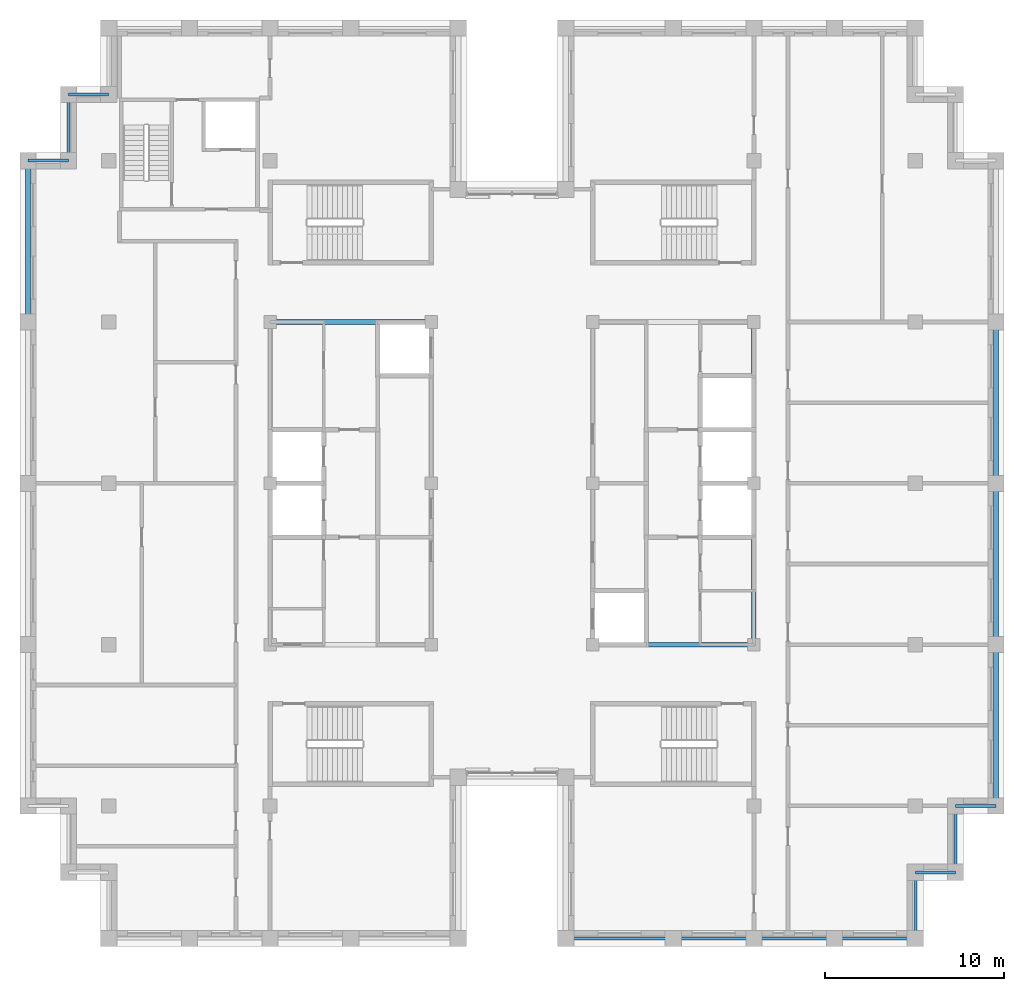
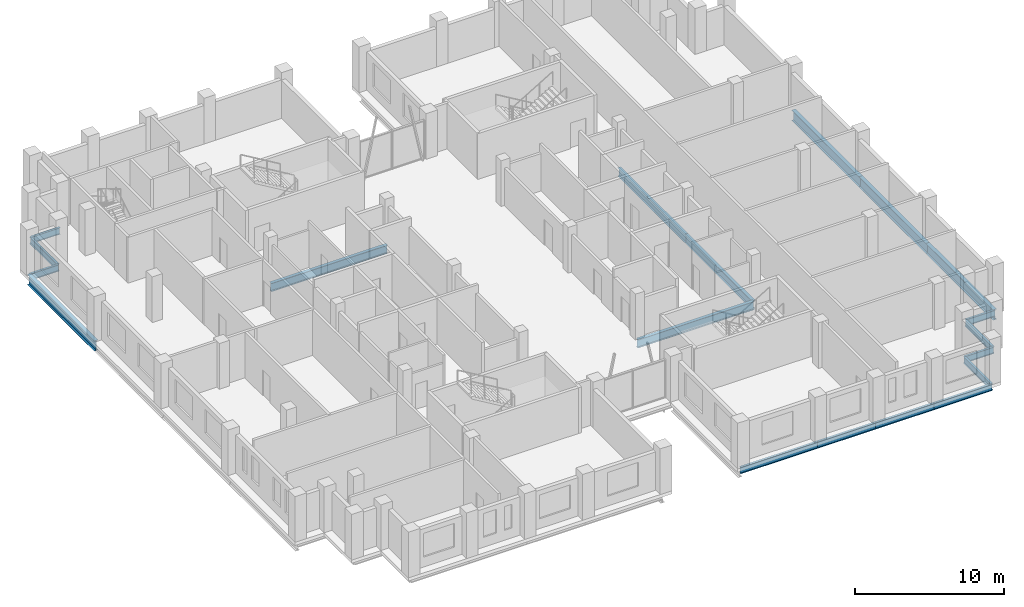
# One storey, part 3 of 13: 19 beams.
"""IFC4 building model written with IfcOpenShell, lengths in metres."""

from ifc_helpers import new_model, si_unit, direction, frame, origin, origin_2d, place, context, subcontext, project, spatial, i_section, extrude, material, material_profile, profile_set, type_object, element, save


model = new_model("IFC4")

# Units and contexts
model_context = context("Model", 3, precision=1e-05, world=origin(), true_north=direction((0.0, 1.0)))
body_context = subcontext(model_context, "Body", "Model", "MODEL_VIEW")
ifc_project = project(units=[si_unit("LENGTHUNIT", "METRE"), si_unit("AREAUNIT", "SQUARE_METRE"), si_unit("VOLUMEUNIT", "CUBIC_METRE"), si_unit("PLANEANGLEUNIT", "RADIAN"), si_unit("MASSUNIT", "GRAM", prefix="KILO")], contexts=[model_context])

# Site, building, storey
site_placement = place(None, origin())
site = spatial("IfcSite", under=ifc_project, at=site_placement, CompositionType="ELEMENT")
building_placement = place(site_placement, origin())
building = spatial("IfcBuilding", under=site, at=building_placement, Name="Corbelhall Arena Tower", CompositionType="ELEMENT")
storey_placement = place(building_placement, frame((0.0, 0.0, 342.0)))
storey = spatial("IfcBuildingStorey", under=building, at=storey_placement, Name="L75", CompositionType="ELEMENT", Elevation=342.0)

# Beams
ifc_material = material(Name="Steel ASTM A992 Gr50", Category="steel")
ifc_material_profile_1 = material_profile(ifc_material, i_section(OverallWidth=0.25390625, OverallDepth=0.67822265625, WebThickness=0.01171875, FlangeThickness=0.016357421875, at=origin_2d()))
ifc_profile_set_1 = profile_set([ifc_material_profile_1], Name="Steel ASTM A992 Gr50")
beam_type_1 = type_object("IfcBeamType", Name="ST-BEAM-W27x84", PredefinedType="BEAM", material=ifc_profile_set_1)
for number, where, z_axis, x_axis, name in (
    (1, (-13.5, 9.0, -0.59912109375), (1.0, 0.0, 0.0), (0.0, 1.0, 0.0), "Beam CEW 6"),
    (2, (13.5, -9.0, -0.59912109375), (0.0, 1.0, 0.0), (-1.0, 0.0, 0.0), "Beam CEE 9"),
    (3, (13.5, 0.0, -0.59912109375), (0.0, 1.0, 0.0), (-1.0, 0.0, 0.0), "Beam CEE 10"),
    (4, (4.5, -9.0, -0.59912109375), (1.0, 0.0, 0.0), (0.0, 1.0, 0.0), "Beam CEE 11"),
):
    element("IfcBeam", number, at=place(storey_placement, frame(where, z_axis=z_axis, x_axis=x_axis)), inside=storey, type_object=beam_type_1, Name=name, PredefinedType="BEAM", context=body_context, shape_type="SweptSolid", body=[
        extrude(i_section(OverallWidth=0.25390625, OverallDepth=0.67822265625, WebThickness=0.01171875, FlangeThickness=0.016357421875, at=origin_2d()), origin(), (0.0, 0.0, 1.0), 9.0),
    ])
ifc_material_profile_2 = material_profile(ifc_material, i_section(OverallWidth=0.16650390625, OverallDepth=0.535888671875, WebThickness=0.01025390625, FlangeThickness=0.0166015625, at=origin_2d()))
ifc_profile_set_2 = profile_set([ifc_material_profile_2], Name="Steel ASTM A992 Gr50")
beam_type_2 = type_object("IfcBeamType", Name="ST-SPANDREL-W21x57", PredefinedType="SPANDREL", material=ifc_profile_set_2)
beam_1_placement = place(storey_placement, frame((27.0, -18.0, -0.528076171875), z_axis=(-1.0, 0.0, 0.0), x_axis=(0.0, -1.0, 0.0)))
element("IfcBeam", 5, at=beam_1_placement, inside=storey, type_object=beam_type_2, Name="Beam SP 5", PredefinedType="SPANDREL", context=body_context, shape_type="SweptSolid", body=[
    extrude(i_section(OverallWidth=0.16650390625, OverallDepth=0.535888671875, WebThickness=0.01025390625, FlangeThickness=0.0166015625, at=origin_2d()), origin(), (0.0, 0.0, 1.0), 2.25),
])
beam_2_placement = place(storey_placement, frame((9.0, -25.39990234375, -0.528076171875), z_axis=(-1.0, 0.0, 0.0), x_axis=(0.0, -1.0, 0.0)))
element("IfcBeam", 6, at=beam_2_placement, inside=storey, type_object=beam_type_2, Name="Beam SP 17", PredefinedType="SPANDREL", context=body_context, shape_type="SweptSolid", body=[
    extrude(i_section(OverallWidth=0.16650390625, OverallDepth=0.535888671875, WebThickness=0.01025390625, FlangeThickness=0.0166015625, at=origin_2d()), origin(), (0.0, 0.0, 1.0), 6.0),
])
for number, where, z_axis, x_axis, name in (
    (7, (13.5, -25.39990234375, -0.528076171875), (-1.0, 0.0, 0.0), (0.0, -1.0, 0.0), "Beam SP 18"),
    (8, (18.0, -25.39990234375, -0.528076171875), (-1.0, 0.0, 0.0), (0.0, -1.0, 0.0), "Beam SP 19"),
    (9, (22.5, -25.39990234375, -0.528076171875), (-1.0, 0.0, 0.0), (0.0, -1.0, 0.0), "Beam SP 20"),
):
    element("IfcBeam", number, at=place(storey_placement, frame(where, z_axis=z_axis, x_axis=x_axis)), inside=storey, type_object=beam_type_2, Name=name, PredefinedType="SPANDREL", context=body_context, shape_type="SweptSolid", body=[
        extrude(i_section(OverallWidth=0.16650390625, OverallDepth=0.535888671875, WebThickness=0.01025390625, FlangeThickness=0.0166015625, at=origin_2d()), origin(), (0.0, 0.0, 1.0), 4.5),
    ])
for number, where, z_axis, x_axis, name in (
    (10, (-27.0, 18.0, -0.528076171875), (1.0, 0.0, 0.0), (0.0, 1.0, 0.0), "Beam SP 28"),
    (11, (-24.75, 21.699951171875, -0.528076171875), (1.0, 0.0, 0.0), (0.0, 1.0, 0.0), "Beam SP 39"),
):
    element("IfcBeam", number, at=place(storey_placement, frame(where, z_axis=z_axis, x_axis=x_axis)), inside=storey, type_object=beam_type_2, Name=name, PredefinedType="SPANDREL", context=body_context, shape_type="SweptSolid", body=[
        extrude(i_section(OverallWidth=0.16650390625, OverallDepth=0.535888671875, WebThickness=0.01025390625, FlangeThickness=0.0166015625, at=origin_2d()), origin(), (0.0, 0.0, 1.0), 2.25),
    ])
for number, where, z_axis, x_axis, name in (
    (12, (-24.75, 18.0, -0.528076171875), (0.0, 1.0, 0.0), (-1.0, 0.0, 0.0), "Beam SP 40"),
    (13, (22.5, -21.699951171875, -0.528076171875), (0.0, -1.0, 0.0), (1.0, 0.0, 0.0), "Beam SP 41"),
):
    element("IfcBeam", number, at=place(storey_placement, frame(where, z_axis=z_axis, x_axis=x_axis)), inside=storey, type_object=beam_type_2, Name=name, PredefinedType="SPANDREL", context=body_context, shape_type="SweptSolid", body=[
        extrude(i_section(OverallWidth=0.16650390625, OverallDepth=0.535888671875, WebThickness=0.01025390625, FlangeThickness=0.0166015625, at=origin_2d()), origin(), (0.0, 0.0, 1.0), 3.699951171875),
    ])
beam_3_placement = place(storey_placement, frame((24.75, -21.699951171875, -0.528076171875), z_axis=(-1.0, 0.0, 0.0), x_axis=(0.0, -1.0, 0.0)))
element("IfcBeam", 14, at=beam_3_placement, inside=storey, type_object=beam_type_2, Name="Beam SP 42", PredefinedType="SPANDREL", context=body_context, shape_type="SweptSolid", body=[
    extrude(i_section(OverallWidth=0.16650390625, OverallDepth=0.535888671875, WebThickness=0.01025390625, FlangeThickness=0.0166015625, at=origin_2d()), origin(), (0.0, 0.0, 1.0), 2.25),
])
beam_4_placement = place(storey_placement, frame((24.75, -18.0, -0.528076171875), z_axis=(0.0, -1.0, 0.0), x_axis=(1.0, 0.0, 0.0)))
element("IfcBeam", 15, at=beam_4_placement, inside=storey, type_object=beam_type_2, Name="Beam SP 43", PredefinedType="SPANDREL", context=body_context, shape_type="SweptSolid", body=[
    extrude(i_section(OverallWidth=0.16650390625, OverallDepth=0.535888671875, WebThickness=0.01025390625, FlangeThickness=0.0166015625, at=origin_2d()), origin(), (0.0, 0.0, 1.0), 3.699951171875),
])
ifc_material_profile_3 = material_profile(ifc_material, i_section(OverallWidth=0.2919921875, OverallDepth=0.845703125, WebThickness=0.015380859375, FlangeThickness=0.0244140625, at=origin_2d()))
ifc_profile_set_3 = profile_set([ifc_material_profile_3], Name="Steel ASTM A992 Gr50")
beam_type_3 = type_object("IfcBeamType", Name="ST-SPANDREL-W33x141", PredefinedType="SPANDREL", material=ifc_profile_set_3)
for number, where, z_axis, x_axis, name in (
    (16, (27.0, 0.0, -0.682861328125), (0.0, -1.0, 0.0), (1.0, 0.0, 0.0), "Beam SP 1"),
    (17, (27.0, 9.0, -0.682861328125), (0.0, -1.0, 0.0), (1.0, 0.0, 0.0), "Beam SP 2"),
    (18, (27.0, -9.0, -0.682861328125), (0.0, -1.0, 0.0), (1.0, 0.0, 0.0), "Beam SP 4"),
    (19, (-27.0, 9.0, -0.682861328125), (0.0, 1.0, 0.0), (-1.0, 0.0, 0.0), "Beam SP 27"),
):
    element("IfcBeam", number, at=place(storey_placement, frame(where, z_axis=z_axis, x_axis=x_axis)), inside=storey, type_object=beam_type_3, Name=name, PredefinedType="SPANDREL", context=body_context, shape_type="SweptSolid", body=[
        extrude(i_section(OverallWidth=0.2919921875, OverallDepth=0.845703125, WebThickness=0.015380859375, FlangeThickness=0.0244140625, at=origin_2d()), origin(), (0.0, 0.0, 1.0), 9.0),
    ])

save(model, "model.ifc")
